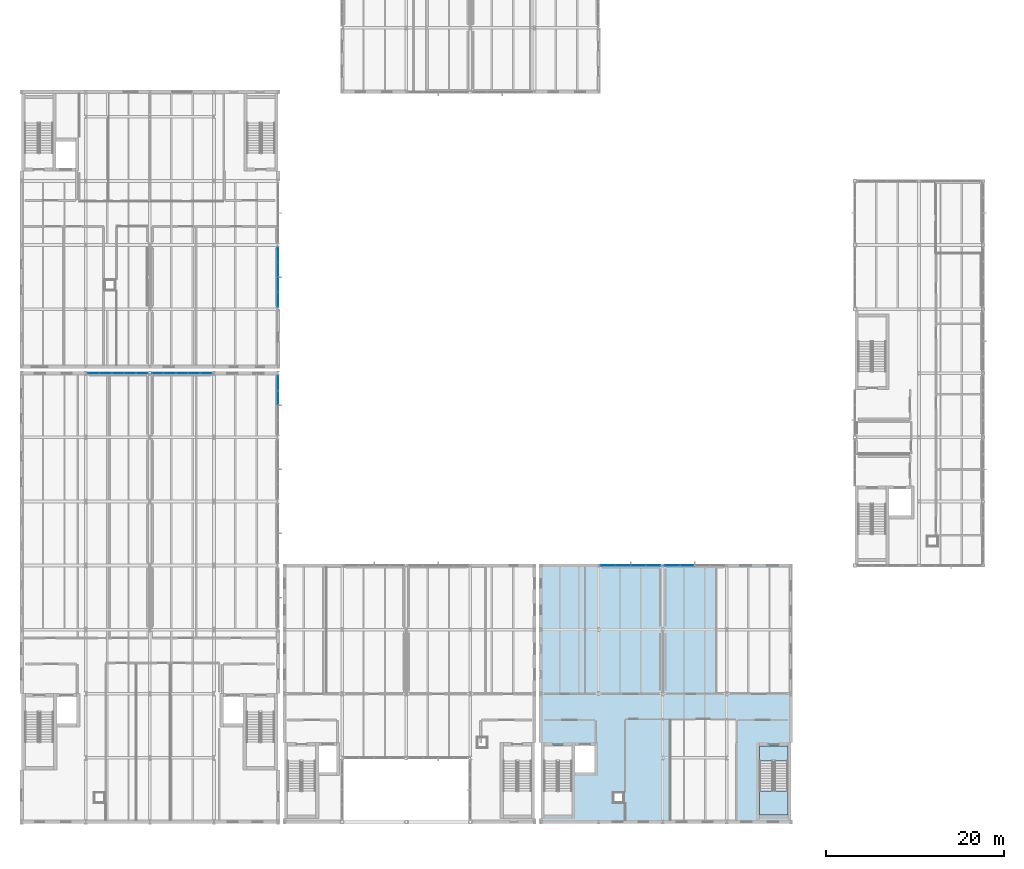
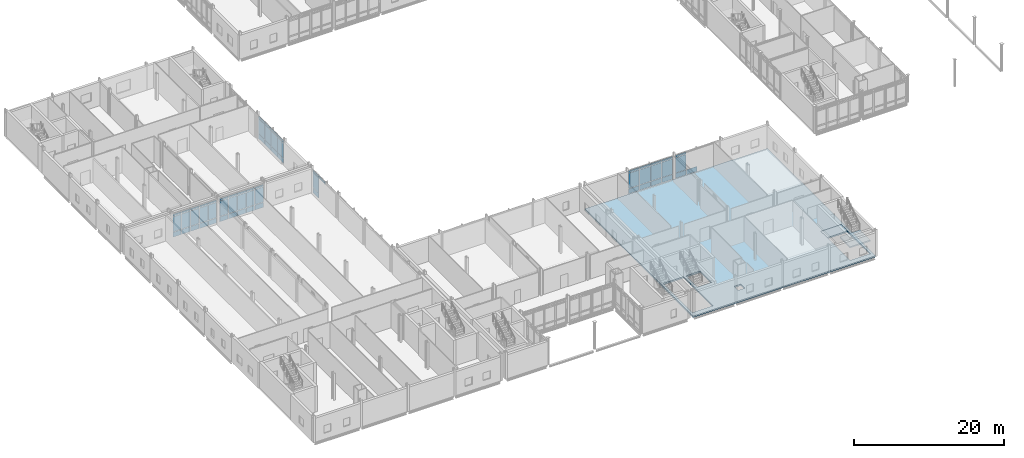
# One storey, part 37 of 76: 62 plates, 3 slabs, 7 elements without a shape of their own.
"""IFC4 building model written with IfcOpenShell, lengths in metres."""

from ifc_helpers import new_model, si_unit, direction, frame, origin, origin_2d, place, context, subcontext, project, spatial, polyline, rectangle, outline, extrude, material, layer, layer_set, type_object, element, aggregate, save


model = new_model("IFC4")

# Units and contexts
model_context = context("Model", 3, precision=1e-05, world=origin(), true_north=direction((0.0, 1.0)))
body_context = subcontext(model_context, "Body", "Model", "MODEL_VIEW")
ifc_project = project(units=[si_unit("LENGTHUNIT", "METRE"), si_unit("AREAUNIT", "SQUARE_METRE"), si_unit("VOLUMEUNIT", "CUBIC_METRE"), si_unit("PLANEANGLEUNIT", "RADIAN"), si_unit("MASSUNIT", "GRAM", prefix="KILO")], contexts=[model_context])

# Site, building, storey
site_placement = place(None, origin())
site = spatial("IfcSite", under=ifc_project, at=site_placement, CompositionType="ELEMENT")
building_placement = place(site_placement, origin())
building = spatial("IfcBuilding", under=site, at=building_placement, Name="Zarrinpeak Specialist Clinic", CompositionType="ELEMENT")
storey_placement = place(building_placement, frame((0.0, 0.0, 5.199951171875)))
storey = spatial("IfcBuildingStorey", under=building, at=storey_placement, Name="L01", CompositionType="ELEMENT", Elevation=5.199951171875)

# Curtain wall, plates
ifc_material_1 = material(Name="Anodised Aluminium Alloy 6063-T6", Category="aluminium")
ifc_layer_1 = layer(ifc_material_1, 0.1650390625)
ifc_layer_set_1 = layer_set([ifc_layer_1], Name="Anodised Aluminium Alloy 6063-T6")
curtain_wall_type_1 = type_object("IfcCurtainWallType", Name="CW-CLINIC", PredefinedType="NOTDEFINED", material=ifc_layer_set_1)
curtain_wall_1_placement = place(storey_placement, origin())
curtain_wall_1 = element("IfcCurtainWall", 1, at=curtain_wall_1_placement, inside=storey, type_object=curtain_wall_type_1, Name="L01 V1 Unitised Curtain Wall CW-L01-V1-007", PredefinedType="NOTDEFINED")
ifc_material_2 = material(Name="Double Low-E Insulated Glazing", Category="glass")
ifc_layer_2 = layer(ifc_material_2, 0.028076171875)
ifc_layer_set_2 = layer_set([ifc_layer_2], Name="Double Low-E Insulated Glazing")
plate_type_1 = type_object("IfcPlateType", Name="CWP-GLZ28", PredefinedType="CURTAIN_PANEL", material=ifc_layer_set_2)
plate_1_placement = place(storey_placement, frame((13.521240234375, 50.39990234375, 0.074951171875), z_axis=(0.0, 0.0, 1.0), x_axis=(-1.0, 0.0, 0.0)))
plate_1 = element("IfcPlate", 2, at=plate_1_placement, type_object=plate_type_1, Name="CW-03 panel 1.1", PredefinedType="CURTAIN_PANEL", context=body_context, shape_type="SweptSolid", body=[
    extrude(rectangle(XDim=1.257568359375, YDim=0.028076171875, at=origin_2d()), origin(), (0.0, 0.0, 1.0), 0.78759765625),
])
plate_2_placement = place(storey_placement, frame((13.521240234375, 50.39990234375, 0.9375), z_axis=(0.0, 0.0, 1.0), x_axis=(-1.0, 0.0, 0.0)))
plate_2 = element("IfcPlate", 3, at=plate_2_placement, type_object=plate_type_1, Name="CW-03 panel 1.2", PredefinedType="CURTAIN_PANEL", context=body_context, shape_type="SweptSolid", body=[
    extrude(rectangle(XDim=1.257568359375, YDim=0.028076171875, at=origin_2d()), origin(), (0.0, 0.0, 1.0), 2.455078125),
])
plate_3_placement = place(storey_placement, frame((13.521240234375, 50.39990234375, 3.467529296875), z_axis=(0.0, 0.0, 1.0), x_axis=(-1.0, 0.0, 0.0)))
plate_3 = element("IfcPlate", 4, at=plate_3_placement, type_object=plate_type_1, Name="CW-03 panel 1.3", PredefinedType="CURTAIN_PANEL", context=body_context, shape_type="SweptSolid", body=[
    extrude(rectangle(XDim=1.257568359375, YDim=0.028076171875, at=origin_2d()), origin(), (0.0, 0.0, 1.0), 0.33740234375),
])
plate_4_placement = place(storey_placement, frame((12.169921875, 50.39990234375, 0.074951171875), z_axis=(0.0, 0.0, 1.0), x_axis=(-1.0, 0.0, 0.0)))
plate_4 = element("IfcPlate", 5, at=plate_4_placement, type_object=plate_type_1, Name="CW-03 panel 2.1", PredefinedType="CURTAIN_PANEL", context=body_context, shape_type="SweptSolid", body=[
    extrude(rectangle(XDim=1.294921875, YDim=0.028076171875, at=origin_2d()), origin(), (0.0, 0.0, 1.0), 0.78759765625),
])
plate_5_placement = place(storey_placement, frame((12.169921875, 50.39990234375, 0.9375), z_axis=(0.0, 0.0, 1.0), x_axis=(-1.0, 0.0, 0.0)))
plate_5 = element("IfcPlate", 6, at=plate_5_placement, type_object=plate_type_1, Name="CW-03 panel 2.2", PredefinedType="CURTAIN_PANEL", context=body_context, shape_type="SweptSolid", body=[
    extrude(rectangle(XDim=1.294921875, YDim=0.028076171875, at=origin_2d()), origin(), (0.0, 0.0, 1.0), 2.455078125),
])
plate_6_placement = place(storey_placement, frame((12.169921875, 50.39990234375, 3.467529296875), z_axis=(0.0, 0.0, 1.0), x_axis=(-1.0, 0.0, 0.0)))
plate_6 = element("IfcPlate", 7, at=plate_6_placement, type_object=plate_type_1, Name="CW-03 panel 2.3", PredefinedType="CURTAIN_PANEL", context=body_context, shape_type="SweptSolid", body=[
    extrude(rectangle(XDim=1.294921875, YDim=0.028076171875, at=origin_2d()), origin(), (0.0, 0.0, 1.0), 0.33740234375),
])
plate_7_placement = place(storey_placement, frame((10.800048828125, 50.39990234375, 0.074951171875), z_axis=(0.0, 0.0, 1.0), x_axis=(-1.0, 0.0, 0.0)))
plate_7 = element("IfcPlate", 8, at=plate_7_placement, type_object=plate_type_1, Name="CW-03 panel 3.1", PredefinedType="CURTAIN_PANEL", context=body_context, shape_type="SweptSolid", body=[
    extrude(rectangle(XDim=1.294921875, YDim=0.028076171875, at=origin_2d()), origin(), (0.0, 0.0, 1.0), 0.78759765625),
])
plate_8_placement = place(storey_placement, frame((10.800048828125, 50.39990234375, 0.9375), z_axis=(0.0, 0.0, 1.0), x_axis=(-1.0, 0.0, 0.0)))
plate_8 = element("IfcPlate", 9, at=plate_8_placement, type_object=plate_type_1, Name="CW-03 panel 3.2", PredefinedType="CURTAIN_PANEL", context=body_context, shape_type="SweptSolid", body=[
    extrude(rectangle(XDim=1.294921875, YDim=0.028076171875, at=origin_2d()), origin(), (0.0, 0.0, 1.0), 2.455078125),
])
plate_9_placement = place(storey_placement, frame((10.800048828125, 50.39990234375, 3.467529296875), z_axis=(0.0, 0.0, 1.0), x_axis=(-1.0, 0.0, 0.0)))
plate_9 = element("IfcPlate", 10, at=plate_9_placement, type_object=plate_type_1, Name="CW-03 panel 3.3", PredefinedType="CURTAIN_PANEL", context=body_context, shape_type="SweptSolid", body=[
    extrude(rectangle(XDim=1.294921875, YDim=0.028076171875, at=origin_2d()), origin(), (0.0, 0.0, 1.0), 0.33740234375),
])
plate_10_placement = place(storey_placement, frame((9.429931640625, 50.39990234375, 0.074951171875), z_axis=(0.0, 0.0, 1.0), x_axis=(-1.0, 0.0, 0.0)))
plate_10 = element("IfcPlate", 11, at=plate_10_placement, type_object=plate_type_1, Name="CW-03 panel 4.1", PredefinedType="CURTAIN_PANEL", context=body_context, shape_type="SweptSolid", body=[
    extrude(rectangle(XDim=1.294921875, YDim=0.028076171875, at=origin_2d()), origin(), (0.0, 0.0, 1.0), 0.78759765625),
])
plate_11_placement = place(storey_placement, frame((9.429931640625, 50.39990234375, 0.9375), z_axis=(0.0, 0.0, 1.0), x_axis=(-1.0, 0.0, 0.0)))
plate_11 = element("IfcPlate", 12, at=plate_11_placement, type_object=plate_type_1, Name="CW-03 panel 4.2", PredefinedType="CURTAIN_PANEL", context=body_context, shape_type="SweptSolid", body=[
    extrude(rectangle(XDim=1.294921875, YDim=0.028076171875, at=origin_2d()), origin(), (0.0, 0.0, 1.0), 2.455078125),
])
plate_12_placement = place(storey_placement, frame((9.429931640625, 50.39990234375, 3.467529296875), z_axis=(0.0, 0.0, 1.0), x_axis=(-1.0, 0.0, 0.0)))
plate_12 = element("IfcPlate", 13, at=plate_12_placement, type_object=plate_type_1, Name="CW-03 panel 4.3", PredefinedType="CURTAIN_PANEL", context=body_context, shape_type="SweptSolid", body=[
    extrude(rectangle(XDim=1.294921875, YDim=0.028076171875, at=origin_2d()), origin(), (0.0, 0.0, 1.0), 0.33740234375),
])
plate_13_placement = place(storey_placement, frame((8.078857421875, 50.39990234375, 0.074951171875), z_axis=(0.0, 0.0, 1.0), x_axis=(-1.0, 0.0, 0.0)))
plate_13 = element("IfcPlate", 14, at=plate_13_placement, type_object=plate_type_1, Name="CW-03 panel 5.1", PredefinedType="CURTAIN_PANEL", context=body_context, shape_type="SweptSolid", body=[
    extrude(rectangle(XDim=1.257568359375, YDim=0.028076171875, at=origin_2d()), origin(), (0.0, 0.0, 1.0), 0.78759765625),
])
plate_14_placement = place(storey_placement, frame((8.078857421875, 50.39990234375, 0.9375), z_axis=(0.0, 0.0, 1.0), x_axis=(-1.0, 0.0, 0.0)))
plate_14 = element("IfcPlate", 15, at=plate_14_placement, type_object=plate_type_1, Name="CW-03 panel 5.2", PredefinedType="CURTAIN_PANEL", context=body_context, shape_type="SweptSolid", body=[
    extrude(rectangle(XDim=1.257568359375, YDim=0.028076171875, at=origin_2d()), origin(), (0.0, 0.0, 1.0), 2.455078125),
])
plate_15_placement = place(storey_placement, frame((8.078857421875, 50.39990234375, 3.467529296875), z_axis=(0.0, 0.0, 1.0), x_axis=(-1.0, 0.0, 0.0)))
plate_15 = element("IfcPlate", 16, at=plate_15_placement, type_object=plate_type_1, Name="CW-03 panel 5.3", PredefinedType="CURTAIN_PANEL", context=body_context, shape_type="SweptSolid", body=[
    extrude(rectangle(XDim=1.257568359375, YDim=0.028076171875, at=origin_2d()), origin(), (0.0, 0.0, 1.0), 0.33740234375),
])
aggregate(curtain_wall_1, [plate_1, plate_2, plate_3, plate_4, plate_5, plate_6, plate_7, plate_8, plate_9, plate_10, plate_11, plate_12, plate_13, plate_14, plate_15])

curtain_wall_2_placement = place(storey_placement, origin())
curtain_wall_2 = element("IfcCurtainWall", 17, at=curtain_wall_2_placement, inside=storey, type_object=curtain_wall_type_1, Name="L01 V1 Unitised Curtain Wall CW-L01-V1-008", PredefinedType="NOTDEFINED")
plate_16_placement = place(storey_placement, frame((20.72119140625, 50.39990234375, 0.074951171875), z_axis=(0.0, 0.0, 1.0), x_axis=(-1.0, 0.0, 0.0)))
plate_16 = element("IfcPlate", 18, at=plate_16_placement, type_object=plate_type_1, Name="CW-03 panel 1.1", PredefinedType="CURTAIN_PANEL", context=body_context, shape_type="SweptSolid", body=[
    extrude(rectangle(XDim=1.257568359375, YDim=0.028076171875, at=origin_2d()), origin(), (0.0, 0.0, 1.0), 0.78759765625),
])
plate_17_placement = place(storey_placement, frame((20.72119140625, 50.39990234375, 0.9375), z_axis=(0.0, 0.0, 1.0), x_axis=(-1.0, 0.0, 0.0)))
plate_17 = element("IfcPlate", 19, at=plate_17_placement, type_object=plate_type_1, Name="CW-03 panel 1.2", PredefinedType="CURTAIN_PANEL", context=body_context, shape_type="SweptSolid", body=[
    extrude(rectangle(XDim=1.257568359375, YDim=0.028076171875, at=origin_2d()), origin(), (0.0, 0.0, 1.0), 2.455078125),
])
plate_18_placement = place(storey_placement, frame((20.72119140625, 50.39990234375, 3.467529296875), z_axis=(0.0, 0.0, 1.0), x_axis=(-1.0, 0.0, 0.0)))
plate_18 = element("IfcPlate", 20, at=plate_18_placement, type_object=plate_type_1, Name="CW-03 panel 1.3", PredefinedType="CURTAIN_PANEL", context=body_context, shape_type="SweptSolid", body=[
    extrude(rectangle(XDim=1.257568359375, YDim=0.028076171875, at=origin_2d()), origin(), (0.0, 0.0, 1.0), 0.33740234375),
])
plate_19_placement = place(storey_placement, frame((19.3701171875, 50.39990234375, 0.074951171875), z_axis=(0.0, 0.0, 1.0), x_axis=(-1.0, 0.0, 0.0)))
plate_19 = element("IfcPlate", 21, at=plate_19_placement, type_object=plate_type_1, Name="CW-03 panel 2.1", PredefinedType="CURTAIN_PANEL", context=body_context, shape_type="SweptSolid", body=[
    extrude(rectangle(XDim=1.294921875, YDim=0.028076171875, at=origin_2d()), origin(), (0.0, 0.0, 1.0), 0.78759765625),
])
plate_20_placement = place(storey_placement, frame((19.3701171875, 50.39990234375, 0.9375), z_axis=(0.0, 0.0, 1.0), x_axis=(-1.0, 0.0, 0.0)))
plate_20 = element("IfcPlate", 22, at=plate_20_placement, type_object=plate_type_1, Name="CW-03 panel 2.2", PredefinedType="CURTAIN_PANEL", context=body_context, shape_type="SweptSolid", body=[
    extrude(rectangle(XDim=1.294921875, YDim=0.028076171875, at=origin_2d()), origin(), (0.0, 0.0, 1.0), 2.455078125),
])
plate_21_placement = place(storey_placement, frame((19.3701171875, 50.39990234375, 3.467529296875), z_axis=(0.0, 0.0, 1.0), x_axis=(-1.0, 0.0, 0.0)))
plate_21 = element("IfcPlate", 23, at=plate_21_placement, type_object=plate_type_1, Name="CW-03 panel 2.3", PredefinedType="CURTAIN_PANEL", context=body_context, shape_type="SweptSolid", body=[
    extrude(rectangle(XDim=1.294921875, YDim=0.028076171875, at=origin_2d()), origin(), (0.0, 0.0, 1.0), 0.33740234375),
])
plate_22_placement = place(storey_placement, frame((18.0, 50.39990234375, 0.074951171875), z_axis=(0.0, 0.0, 1.0), x_axis=(-1.0, 0.0, 0.0)))
plate_22 = element("IfcPlate", 24, at=plate_22_placement, type_object=plate_type_1, Name="CW-03 panel 3.1", PredefinedType="CURTAIN_PANEL", context=body_context, shape_type="SweptSolid", body=[
    extrude(rectangle(XDim=1.294921875, YDim=0.028076171875, at=origin_2d()), origin(), (0.0, 0.0, 1.0), 0.78759765625),
])
plate_23_placement = place(storey_placement, frame((18.0, 50.39990234375, 0.9375), z_axis=(0.0, 0.0, 1.0), x_axis=(-1.0, 0.0, 0.0)))
plate_23 = element("IfcPlate", 25, at=plate_23_placement, type_object=plate_type_1, Name="CW-03 panel 3.2", PredefinedType="CURTAIN_PANEL", context=body_context, shape_type="SweptSolid", body=[
    extrude(rectangle(XDim=1.294921875, YDim=0.028076171875, at=origin_2d()), origin(), (0.0, 0.0, 1.0), 2.455078125),
])
plate_24_placement = place(storey_placement, frame((18.0, 50.39990234375, 3.467529296875), z_axis=(0.0, 0.0, 1.0), x_axis=(-1.0, 0.0, 0.0)))
plate_24 = element("IfcPlate", 26, at=plate_24_placement, type_object=plate_type_1, Name="CW-03 panel 3.3", PredefinedType="CURTAIN_PANEL", context=body_context, shape_type="SweptSolid", body=[
    extrude(rectangle(XDim=1.294921875, YDim=0.028076171875, at=origin_2d()), origin(), (0.0, 0.0, 1.0), 0.33740234375),
])
plate_25_placement = place(storey_placement, frame((16.6298828125, 50.39990234375, 0.074951171875), z_axis=(0.0, 0.0, 1.0), x_axis=(-1.0, 0.0, 0.0)))
plate_25 = element("IfcPlate", 27, at=plate_25_placement, type_object=plate_type_1, Name="CW-03 panel 4.1", PredefinedType="CURTAIN_PANEL", context=body_context, shape_type="SweptSolid", body=[
    extrude(rectangle(XDim=1.294921875, YDim=0.028076171875, at=origin_2d()), origin(), (0.0, 0.0, 1.0), 0.78759765625),
])
plate_26_placement = place(storey_placement, frame((16.6298828125, 50.39990234375, 0.9375), z_axis=(0.0, 0.0, 1.0), x_axis=(-1.0, 0.0, 0.0)))
plate_26 = element("IfcPlate", 28, at=plate_26_placement, type_object=plate_type_1, Name="CW-03 panel 4.2", PredefinedType="CURTAIN_PANEL", context=body_context, shape_type="SweptSolid", body=[
    extrude(rectangle(XDim=1.294921875, YDim=0.028076171875, at=origin_2d()), origin(), (0.0, 0.0, 1.0), 2.455078125),
])
plate_27_placement = place(storey_placement, frame((16.6298828125, 50.39990234375, 3.467529296875), z_axis=(0.0, 0.0, 1.0), x_axis=(-1.0, 0.0, 0.0)))
plate_27 = element("IfcPlate", 29, at=plate_27_placement, type_object=plate_type_1, Name="CW-03 panel 4.3", PredefinedType="CURTAIN_PANEL", context=body_context, shape_type="SweptSolid", body=[
    extrude(rectangle(XDim=1.294921875, YDim=0.028076171875, at=origin_2d()), origin(), (0.0, 0.0, 1.0), 0.33740234375),
])
plate_28_placement = place(storey_placement, frame((15.27880859375, 50.39990234375, 0.074951171875), z_axis=(0.0, 0.0, 1.0), x_axis=(-1.0, 0.0, 0.0)))
plate_28 = element("IfcPlate", 30, at=plate_28_placement, type_object=plate_type_1, Name="CW-03 panel 5.1", PredefinedType="CURTAIN_PANEL", context=body_context, shape_type="SweptSolid", body=[
    extrude(rectangle(XDim=1.257568359375, YDim=0.028076171875, at=origin_2d()), origin(), (0.0, 0.0, 1.0), 0.78759765625),
])
plate_29_placement = place(storey_placement, frame((15.27880859375, 50.39990234375, 0.9375), z_axis=(0.0, 0.0, 1.0), x_axis=(-1.0, 0.0, 0.0)))
plate_29 = element("IfcPlate", 31, at=plate_29_placement, type_object=plate_type_1, Name="CW-03 panel 5.2", PredefinedType="CURTAIN_PANEL", context=body_context, shape_type="SweptSolid", body=[
    extrude(rectangle(XDim=1.257568359375, YDim=0.028076171875, at=origin_2d()), origin(), (0.0, 0.0, 1.0), 2.455078125),
])
plate_30_placement = place(storey_placement, frame((15.27880859375, 50.39990234375, 3.467529296875), z_axis=(0.0, 0.0, 1.0), x_axis=(-1.0, 0.0, 0.0)))
plate_30 = element("IfcPlate", 32, at=plate_30_placement, type_object=plate_type_1, Name="CW-03 panel 5.3", PredefinedType="CURTAIN_PANEL", context=body_context, shape_type="SweptSolid", body=[
    extrude(rectangle(XDim=1.257568359375, YDim=0.028076171875, at=origin_2d()), origin(), (0.0, 0.0, 1.0), 0.33740234375),
])
aggregate(curtain_wall_2, [plate_16, plate_17, plate_18, plate_19, plate_20, plate_21, plate_22, plate_23, plate_24, plate_25, plate_26, plate_27, plate_28, plate_29, plate_30])

ifc_layer_3 = layer(ifc_material_1, 0.179931640625)
ifc_layer_set_3 = layer_set([ifc_layer_3], Name="Anodised Aluminium Alloy 6063-T6")
curtain_wall_type_2 = type_object("IfcCurtainWallType", Name="CW-COURT", PredefinedType="NOTDEFINED", material=ifc_layer_set_3)
curtain_wall_3_placement = place(storey_placement, origin())
curtain_wall_3 = element("IfcCurtainWall", 33, at=curtain_wall_3_placement, inside=storey, type_object=curtain_wall_type_2, Name="L01 V1 Unitised Curtain Wall CW-L01-V1-012", PredefinedType="NOTDEFINED")
plate_31_placement = place(storey_placement, frame((28.800048828125, 47.653076171875, 3.397705078125), z_axis=(0.0, 0.0, 1.0), x_axis=(0.0, 1.0, 0.0)))
plate_31 = element("IfcPlate", 34, at=plate_31_placement, type_object=plate_type_1, Name="CW-01 panel 3.3", PredefinedType="CURTAIN_PANEL", context=body_context, shape_type="SweptSolid", body=[
    extrude(rectangle(XDim=1.606201171875, YDim=0.028076171875, at=origin_2d()), origin(), (0.0, 0.0, 1.0), 0.33740234375),
])
plate_32_placement = place(storey_placement, frame((28.800048828125, 49.315673828125, 0.074951171875), z_axis=(0.0, 0.0, 1.0), x_axis=(0.0, 1.0, 0.0)))
plate_32 = element("IfcPlate", 35, at=plate_32_placement, type_object=plate_type_1, Name="CW-01 panel 4.1", PredefinedType="CURTAIN_PANEL", context=body_context, shape_type="SweptSolid", body=[
    extrude(rectangle(XDim=1.56884765625, YDim=0.028076171875, at=origin_2d()), origin(), (0.0, 0.0, 1.0), 0.78759765625),
])
plate_33_placement = place(storey_placement, frame((28.800048828125, 49.315673828125, 0.9375), z_axis=(0.0, 0.0, 1.0), x_axis=(0.0, 1.0, 0.0)))
plate_33 = element("IfcPlate", 36, at=plate_33_placement, type_object=plate_type_1, Name="CW-01 panel 4.2", PredefinedType="CURTAIN_PANEL", context=body_context, shape_type="SweptSolid", body=[
    extrude(rectangle(XDim=1.56884765625, YDim=0.028076171875, at=origin_2d()), origin(), (0.0, 0.0, 1.0), 2.385009765625),
])
plate_34_placement = place(storey_placement, frame((28.800048828125, 49.315673828125, 3.397705078125), z_axis=(0.0, 0.0, 1.0), x_axis=(0.0, 1.0, 0.0)))
plate_34 = element("IfcPlate", 37, at=plate_34_placement, type_object=plate_type_1, Name="CW-01 panel 4.3", PredefinedType="CURTAIN_PANEL", context=body_context, shape_type="SweptSolid", body=[
    extrude(rectangle(XDim=1.56884765625, YDim=0.028076171875, at=origin_2d()), origin(), (0.0, 0.0, 1.0), 0.33740234375),
])
aggregate(curtain_wall_3, [plate_31, plate_32, plate_33, plate_34])

curtain_wall_4_placement = place(storey_placement, origin())
curtain_wall_4 = element("IfcCurtainWall", 38, at=curtain_wall_4_placement, inside=storey, type_object=curtain_wall_type_2, Name="L01 V4 Unitised Curtain Wall CW-L01-V4-071", PredefinedType="NOTDEFINED")
ifc_material_3 = material(Name="Triple Acoustic Low-E Glazing", Category="glass")
ifc_layer_4 = layer(ifc_material_3, 0.035888671875)
ifc_layer_set_4 = layer_set([ifc_layer_4], Name="Triple Acoustic Low-E Glazing")
plate_type_2 = type_object("IfcPlateType", Name="CWP-GLZ36", PredefinedType="CURTAIN_PANEL", material=ifc_layer_set_4)
plate_35_placement = place(storey_placement, frame((70.949951171875, 28.800048828125, 0.074951171875), z_axis=(0.0, 0.0, 1.0), x_axis=(-1.0, 0.0, 0.0)))
plate_35 = element("IfcPlate", 39, at=plate_35_placement, type_object=plate_type_2, Name="CW-01 panel 1.1", PredefinedType="CURTAIN_PANEL", context=body_context, shape_type="SweptSolid", body=[
    extrude(rectangle(XDim=1.60009765625, YDim=0.035888671875, at=origin_2d()), origin(), (0.0, 0.0, 1.0), 0.78759765625),
])
plate_36_placement = place(storey_placement, frame((70.949951171875, 28.800048828125, 0.9375), z_axis=(0.0, 0.0, 1.0), x_axis=(-1.0, 0.0, 0.0)))
plate_36 = element("IfcPlate", 40, at=plate_36_placement, type_object=plate_type_2, Name="CW-01 panel 1.2", PredefinedType="CURTAIN_PANEL", context=body_context, shape_type="SweptSolid", body=[
    extrude(rectangle(XDim=1.60009765625, YDim=0.035888671875, at=origin_2d()), origin(), (0.0, 0.0, 1.0), 2.455078125),
])
plate_37_placement = place(storey_placement, frame((70.949951171875, 28.800048828125, 3.467529296875), z_axis=(0.0, 0.0, 1.0), x_axis=(-1.0, 0.0, 0.0)))
plate_37 = element("IfcPlate", 41, at=plate_37_placement, type_object=plate_type_2, Name="CW-01 panel 1.3", PredefinedType="CURTAIN_PANEL", context=body_context, shape_type="SweptSolid", body=[
    extrude(rectangle(XDim=1.60009765625, YDim=0.035888671875, at=origin_2d()), origin(), (0.0, 0.0, 1.0), 0.33740234375),
])
plate_38_placement = place(storey_placement, frame((69.25634765625, 28.800048828125, 0.074951171875), z_axis=(0.0, 0.0, 1.0), x_axis=(-1.0, 0.0, 0.0)))
plate_38 = element("IfcPlate", 42, at=plate_38_placement, type_object=plate_type_2, Name="CW-01 panel 2.1", PredefinedType="CURTAIN_PANEL", context=body_context, shape_type="SweptSolid", body=[
    extrude(rectangle(XDim=1.637451171875, YDim=0.035888671875, at=origin_2d()), origin(), (0.0, 0.0, 1.0), 0.78759765625),
])
plate_39_placement = place(storey_placement, frame((69.25634765625, 28.800048828125, 0.9375), z_axis=(0.0, 0.0, 1.0), x_axis=(-1.0, 0.0, 0.0)))
plate_39 = element("IfcPlate", 43, at=plate_39_placement, type_object=plate_type_2, Name="CW-01 panel 2.2", PredefinedType="CURTAIN_PANEL", context=body_context, shape_type="SweptSolid", body=[
    extrude(rectangle(XDim=1.637451171875, YDim=0.035888671875, at=origin_2d()), origin(), (0.0, 0.0, 1.0), 2.455078125),
])
plate_40_placement = place(storey_placement, frame((69.25634765625, 28.800048828125, 3.467529296875), z_axis=(0.0, 0.0, 1.0), x_axis=(-1.0, 0.0, 0.0)))
plate_40 = element("IfcPlate", 44, at=plate_40_placement, type_object=plate_type_2, Name="CW-01 panel 2.3", PredefinedType="CURTAIN_PANEL", context=body_context, shape_type="SweptSolid", body=[
    extrude(rectangle(XDim=1.637451171875, YDim=0.035888671875, at=origin_2d()), origin(), (0.0, 0.0, 1.0), 0.33740234375),
])
plate_41_placement = place(storey_placement, frame((67.543701171875, 28.800048828125, 0.074951171875), z_axis=(0.0, 0.0, 1.0), x_axis=(-1.0, 0.0, 0.0)))
plate_41 = element("IfcPlate", 45, at=plate_41_placement, type_object=plate_type_2, Name="CW-01 panel 3.1", PredefinedType="CURTAIN_PANEL", context=body_context, shape_type="SweptSolid", body=[
    extrude(rectangle(XDim=1.637451171875, YDim=0.035888671875, at=origin_2d()), origin(), (0.0, 0.0, 1.0), 0.78759765625),
])
plate_42_placement = place(storey_placement, frame((67.543701171875, 28.800048828125, 0.9375), z_axis=(0.0, 0.0, 1.0), x_axis=(-1.0, 0.0, 0.0)))
plate_42 = element("IfcPlate", 46, at=plate_42_placement, type_object=plate_type_2, Name="CW-01 panel 3.2", PredefinedType="CURTAIN_PANEL", context=body_context, shape_type="SweptSolid", body=[
    extrude(rectangle(XDim=1.637451171875, YDim=0.035888671875, at=origin_2d()), origin(), (0.0, 0.0, 1.0), 2.455078125),
])
plate_43_placement = place(storey_placement, frame((67.543701171875, 28.800048828125, 3.467529296875), z_axis=(0.0, 0.0, 1.0), x_axis=(-1.0, 0.0, 0.0)))
plate_43 = element("IfcPlate", 47, at=plate_43_placement, type_object=plate_type_2, Name="CW-01 panel 3.3", PredefinedType="CURTAIN_PANEL", context=body_context, shape_type="SweptSolid", body=[
    extrude(rectangle(XDim=1.637451171875, YDim=0.035888671875, at=origin_2d()), origin(), (0.0, 0.0, 1.0), 0.33740234375),
])
plate_44_placement = place(storey_placement, frame((65.85009765625, 28.800048828125, 0.074951171875), z_axis=(0.0, 0.0, 1.0), x_axis=(-1.0, 0.0, 0.0)))
plate_44 = element("IfcPlate", 48, at=plate_44_placement, type_object=plate_type_2, Name="CW-01 panel 4.1", PredefinedType="CURTAIN_PANEL", context=body_context, shape_type="SweptSolid", body=[
    extrude(rectangle(XDim=1.60009765625, YDim=0.035888671875, at=origin_2d()), origin(), (0.0, 0.0, 1.0), 0.78759765625),
])
plate_45_placement = place(storey_placement, frame((65.85009765625, 28.800048828125, 0.9375), z_axis=(0.0, 0.0, 1.0), x_axis=(-1.0, 0.0, 0.0)))
plate_45 = element("IfcPlate", 49, at=plate_45_placement, type_object=plate_type_2, Name="CW-01 panel 4.2", PredefinedType="CURTAIN_PANEL", context=body_context, shape_type="SweptSolid", body=[
    extrude(rectangle(XDim=1.60009765625, YDim=0.035888671875, at=origin_2d()), origin(), (0.0, 0.0, 1.0), 2.455078125),
])
plate_46_placement = place(storey_placement, frame((65.85009765625, 28.800048828125, 3.467529296875), z_axis=(0.0, 0.0, 1.0), x_axis=(-1.0, 0.0, 0.0)))
plate_46 = element("IfcPlate", 50, at=plate_46_placement, type_object=plate_type_2, Name="CW-01 panel 4.3", PredefinedType="CURTAIN_PANEL", context=body_context, shape_type="SweptSolid", body=[
    extrude(rectangle(XDim=1.60009765625, YDim=0.035888671875, at=origin_2d()), origin(), (0.0, 0.0, 1.0), 0.33740234375),
])
aggregate(curtain_wall_4, [plate_35, plate_36, plate_37, plate_38, plate_39, plate_40, plate_41, plate_42, plate_43, plate_44, plate_45, plate_46])

curtain_wall_5_placement = place(storey_placement, origin())
curtain_wall_5 = element("IfcCurtainWall", 51, at=curtain_wall_5_placement, inside=storey, type_object=curtain_wall_type_2, Name="L01 V4 Unitised Curtain Wall CW-L01-V4-072", PredefinedType="NOTDEFINED")
plate_47_placement = place(storey_placement, frame((74.74365234375, 28.800048828125, 0.074951171875), z_axis=(0.0, 0.0, 1.0), x_axis=(-1.0, 0.0, 0.0)))
plate_47 = element("IfcPlate", 52, at=plate_47_placement, type_object=plate_type_2, Name="CW-01 panel 3.1", PredefinedType="CURTAIN_PANEL", context=body_context, shape_type="SweptSolid", body=[
    extrude(rectangle(XDim=1.637451171875, YDim=0.035888671875, at=origin_2d()), origin(), (0.0, 0.0, 1.0), 0.78759765625),
])
plate_48_placement = place(storey_placement, frame((73.050048828125, 28.800048828125, 0.074951171875), z_axis=(0.0, 0.0, 1.0), x_axis=(-1.0, 0.0, 0.0)))
plate_48 = element("IfcPlate", 53, at=plate_48_placement, type_object=plate_type_2, Name="CW-01 panel 4.1", PredefinedType="CURTAIN_PANEL", context=body_context, shape_type="SweptSolid", body=[
    extrude(rectangle(XDim=1.60009765625, YDim=0.035888671875, at=origin_2d()), origin(), (0.0, 0.0, 1.0), 0.78759765625),
])
plate_49_placement = place(storey_placement, frame((73.050048828125, 28.800048828125, 0.9375), z_axis=(0.0, 0.0, 1.0), x_axis=(-1.0, 0.0, 0.0)))
plate_49 = element("IfcPlate", 54, at=plate_49_placement, type_object=plate_type_2, Name="CW-01 panel 4.2", PredefinedType="CURTAIN_PANEL", context=body_context, shape_type="SweptSolid", body=[
    extrude(rectangle(XDim=1.60009765625, YDim=0.035888671875, at=origin_2d()), origin(), (0.0, 0.0, 1.0), 2.455078125),
])
plate_50_placement = place(storey_placement, frame((73.050048828125, 28.800048828125, 3.467529296875), z_axis=(0.0, 0.0, 1.0), x_axis=(-1.0, 0.0, 0.0)))
plate_50 = element("IfcPlate", 55, at=plate_50_placement, type_object=plate_type_2, Name="CW-01 panel 4.3", PredefinedType="CURTAIN_PANEL", context=body_context, shape_type="SweptSolid", body=[
    extrude(rectangle(XDim=1.60009765625, YDim=0.035888671875, at=origin_2d()), origin(), (0.0, 0.0, 1.0), 0.33740234375),
])
aggregate(curtain_wall_5, [plate_47, plate_48, plate_49, plate_50])

curtain_wall_6_placement = place(storey_placement, origin())
curtain_wall_6 = element("IfcCurtainWall", 56, at=curtain_wall_6_placement, inside=storey, type_object=curtain_wall_type_2, Name="L01 V5 Unitised Curtain Wall CW-L01-V5-123", PredefinedType="NOTDEFINED")
plate_51_placement = place(storey_placement, frame((28.800048828125, 58.672607421875, 0.074951171875), z_axis=(0.0, 0.0, 1.0), x_axis=(0.0, 1.0, 0.0)))
plate_51 = element("IfcPlate", 57, at=plate_51_placement, type_object=plate_type_2, Name="CW-01 panel 1.1", PredefinedType="CURTAIN_PANEL", context=body_context, shape_type="SweptSolid", body=[
    extrude(rectangle(XDim=1.5849609375, YDim=0.035888671875, at=origin_2d()), origin(), (0.0, 0.0, 1.0), 0.78759765625),
])
plate_52_placement = place(storey_placement, frame((28.800048828125, 58.672607421875, 0.9375), z_axis=(0.0, 0.0, 1.0), x_axis=(0.0, 1.0, 0.0)))
plate_52 = element("IfcPlate", 58, at=plate_52_placement, type_object=plate_type_2, Name="CW-01 panel 1.2", PredefinedType="CURTAIN_PANEL", context=body_context, shape_type="SweptSolid", body=[
    extrude(rectangle(XDim=1.5849609375, YDim=0.035888671875, at=origin_2d()), origin(), (0.0, 0.0, 1.0), 2.385009765625),
])
plate_53_placement = place(storey_placement, frame((28.800048828125, 58.672607421875, 3.397705078125), z_axis=(0.0, 0.0, 1.0), x_axis=(0.0, 1.0, 0.0)))
plate_53 = element("IfcPlate", 59, at=plate_53_placement, type_object=plate_type_2, Name="CW-01 panel 1.3", PredefinedType="CURTAIN_PANEL", context=body_context, shape_type="SweptSolid", body=[
    extrude(rectangle(XDim=1.5849609375, YDim=0.035888671875, at=origin_2d()), origin(), (0.0, 0.0, 1.0), 0.33740234375),
])
plate_54_placement = place(storey_placement, frame((28.800048828125, 60.351318359375, 0.074951171875), z_axis=(0.0, 0.0, 1.0), x_axis=(0.0, 1.0, 0.0)))
plate_54 = element("IfcPlate", 60, at=plate_54_placement, type_object=plate_type_2, Name="CW-01 panel 2.1", PredefinedType="CURTAIN_PANEL", context=body_context, shape_type="SweptSolid", body=[
    extrude(rectangle(XDim=1.62255859375, YDim=0.035888671875, at=origin_2d()), origin(), (0.0, 0.0, 1.0), 0.78759765625),
])
plate_55_placement = place(storey_placement, frame((28.800048828125, 60.351318359375, 0.9375), z_axis=(0.0, 0.0, 1.0), x_axis=(0.0, 1.0, 0.0)))
plate_55 = element("IfcPlate", 61, at=plate_55_placement, type_object=plate_type_2, Name="CW-01 panel 2.2", PredefinedType="CURTAIN_PANEL", context=body_context, shape_type="SweptSolid", body=[
    extrude(rectangle(XDim=1.62255859375, YDim=0.035888671875, at=origin_2d()), origin(), (0.0, 0.0, 1.0), 2.385009765625),
])
plate_56_placement = place(storey_placement, frame((28.800048828125, 60.351318359375, 3.397705078125), z_axis=(0.0, 0.0, 1.0), x_axis=(0.0, 1.0, 0.0)))
plate_56 = element("IfcPlate", 62, at=plate_56_placement, type_object=plate_type_2, Name="CW-01 panel 2.3", PredefinedType="CURTAIN_PANEL", context=body_context, shape_type="SweptSolid", body=[
    extrude(rectangle(XDim=1.62255859375, YDim=0.035888671875, at=origin_2d()), origin(), (0.0, 0.0, 1.0), 0.33740234375),
])
plate_57_placement = place(storey_placement, frame((28.800048828125, 62.048828125, 0.074951171875), z_axis=(0.0, 0.0, 1.0), x_axis=(0.0, 1.0, 0.0)))
plate_57 = element("IfcPlate", 63, at=plate_57_placement, type_object=plate_type_2, Name="CW-01 panel 3.1", PredefinedType="CURTAIN_PANEL", context=body_context, shape_type="SweptSolid", body=[
    extrude(rectangle(XDim=1.62255859375, YDim=0.035888671875, at=origin_2d()), origin(), (0.0, 0.0, 1.0), 0.78759765625),
])
plate_58_placement = place(storey_placement, frame((28.800048828125, 62.048828125, 0.9375), z_axis=(0.0, 0.0, 1.0), x_axis=(0.0, 1.0, 0.0)))
plate_58 = element("IfcPlate", 64, at=plate_58_placement, type_object=plate_type_2, Name="CW-01 panel 3.2", PredefinedType="CURTAIN_PANEL", context=body_context, shape_type="SweptSolid", body=[
    extrude(rectangle(XDim=1.62255859375, YDim=0.035888671875, at=origin_2d()), origin(), (0.0, 0.0, 1.0), 2.385009765625),
])
plate_59_placement = place(storey_placement, frame((28.800048828125, 62.048828125, 3.397705078125), z_axis=(0.0, 0.0, 1.0), x_axis=(0.0, 1.0, 0.0)))
plate_59 = element("IfcPlate", 65, at=plate_59_placement, type_object=plate_type_2, Name="CW-01 panel 3.3", PredefinedType="CURTAIN_PANEL", context=body_context, shape_type="SweptSolid", body=[
    extrude(rectangle(XDim=1.62255859375, YDim=0.035888671875, at=origin_2d()), origin(), (0.0, 0.0, 1.0), 0.33740234375),
])
plate_60_placement = place(storey_placement, frame((28.800048828125, 63.7275390625, 0.074951171875), z_axis=(0.0, 0.0, 1.0), x_axis=(0.0, 1.0, 0.0)))
plate_60 = element("IfcPlate", 66, at=plate_60_placement, type_object=plate_type_2, Name="CW-01 panel 4.1", PredefinedType="CURTAIN_PANEL", context=body_context, shape_type="SweptSolid", body=[
    extrude(rectangle(XDim=1.5849609375, YDim=0.035888671875, at=origin_2d()), origin(), (0.0, 0.0, 1.0), 0.78759765625),
])
plate_61_placement = place(storey_placement, frame((28.800048828125, 63.7275390625, 0.9375), z_axis=(0.0, 0.0, 1.0), x_axis=(0.0, 1.0, 0.0)))
plate_61 = element("IfcPlate", 67, at=plate_61_placement, type_object=plate_type_2, Name="CW-01 panel 4.2", PredefinedType="CURTAIN_PANEL", context=body_context, shape_type="SweptSolid", body=[
    extrude(rectangle(XDim=1.5849609375, YDim=0.035888671875, at=origin_2d()), origin(), (0.0, 0.0, 1.0), 2.385009765625),
])
plate_62_placement = place(storey_placement, frame((28.800048828125, 63.7275390625, 3.397705078125), z_axis=(0.0, 0.0, 1.0), x_axis=(0.0, 1.0, 0.0)))
plate_62 = element("IfcPlate", 68, at=plate_62_placement, type_object=plate_type_2, Name="CW-01 panel 4.3", PredefinedType="CURTAIN_PANEL", context=body_context, shape_type="SweptSolid", body=[
    extrude(rectangle(XDim=1.5849609375, YDim=0.035888671875, at=origin_2d()), origin(), (0.0, 0.0, 1.0), 0.33740234375),
])
aggregate(curtain_wall_6, [plate_51, plate_52, plate_53, plate_54, plate_55, plate_56, plate_57, plate_58, plate_59, plate_60, plate_61, plate_62])

# Slabs
ifc_material_4 = material(Name="Concrete C35/45", Category="concrete")
ifc_layer_5 = layer(ifc_material_4, 0.22998046875)
ifc_layer_set_5 = layer_set([ifc_layer_5], Name="Concrete C35/45")
slab_type_1 = type_object("IfcSlabType", Name="SL-FLR230", PredefinedType="FLOOR", material=ifc_layer_set_5)
slab_1_placement = place(storey_placement, frame((0.0, 0.0, -0.22998046875)))
element("IfcSlab", 69, at=slab_1_placement, inside=storey, type_object=slab_type_1, Name="L01 Suspended Clinical Floor Slab V4", PredefinedType="FLOOR", context=body_context, shape_type="SweptSolid", body=[
    extrude(outline(polyline([(58.320068359375, 0.0), (86.39990234375, 0.0), (86.39990234375, 28.800048828125), (58.320068359375, 28.800048828125), (58.320068359375, 0.0)]), holes=[polyline([(58.669921875, 0.75), (61.820068359375, 0.75), (61.820068359375, 8.550048828125), (58.669921875, 8.550048828125), (58.669921875, 0.75)]), polyline([(62.169921875, 5.550048828125), (64.3701171875, 5.550048828125), (64.3701171875, 8.550048828125), (62.169921875, 8.550048828125), (62.169921875, 5.550048828125)]), polyline([(82.89990234375, 0.75), (86.050048828125, 0.75), (86.050048828125, 8.550048828125), (82.89990234375, 8.550048828125), (82.89990234375, 0.75)]), polyline([(66.52001953125, 2.199951171875), (67.570068359375, 2.199951171875), (67.570068359375, 3.25), (66.52001953125, 3.25), (66.52001953125, 2.199951171875)])]), origin(), (0.0, 0.0, 1.0), 0.22998046875),
])
slab_2_placement = place(storey_placement, frame((0.0, 0.0, -0.22998046875)))
element("IfcSlab", 70, at=slab_2_placement, inside=storey, type_object=slab_type_1, Name="L01 Core C08 Stairwell Floor Landing Slab", PredefinedType="FLOOR", context=body_context, shape_type="SweptSolid", body=[
    extrude(outline(polyline([(82.89990234375, 6.85009765625), (86.050048828125, 6.85009765625), (86.050048828125, 8.550048828125), (82.89990234375, 8.550048828125), (82.89990234375, 6.85009765625)])), origin(), (0.0, 0.0, 1.0), 0.22998046875),
])

# Stair, slab
stair_type = type_object("IfcStairType", Name="ST-DOG", PredefinedType="HALF_TURN_STAIR", material=ifc_material_4)
stair_placement = place(storey_placement, origin())
stair = element("IfcStair", 71, at=stair_placement, inside=storey, type_object=stair_type, Name="L01 Protected Exit Stair ST-08", PredefinedType="HALF_TURN_STAIR")
ifc_layer_6 = layer(ifc_material_4, 0.199951171875)
ifc_layer_set_6 = layer_set([ifc_layer_6], Name="Concrete C35/45")
slab_type_2 = type_object("IfcSlabType", Name="SL-LAND200", PredefinedType="LANDING", material=ifc_layer_set_6)
slab_3_placement = place(storey_placement, frame((0.0, 0.0, 2.0)))
slab_3 = element("IfcSlab", 72, at=slab_3_placement, type_object=slab_type_2, Name="ST-08 landing 1", PredefinedType="LANDING", context=body_context, shape_type="SweptSolid", body=[
    extrude(outline(polyline([(82.89990234375, 3.489990234375), (82.89990234375, 0.75), (86.050048828125, 0.75), (86.050048828125, 3.489990234375), (82.89990234375, 3.489990234375)])), origin(), (0.0, 0.0, 1.0), 0.199951171875),
])
aggregate(stair, [slab_3])

save(model, "model.ifc")
